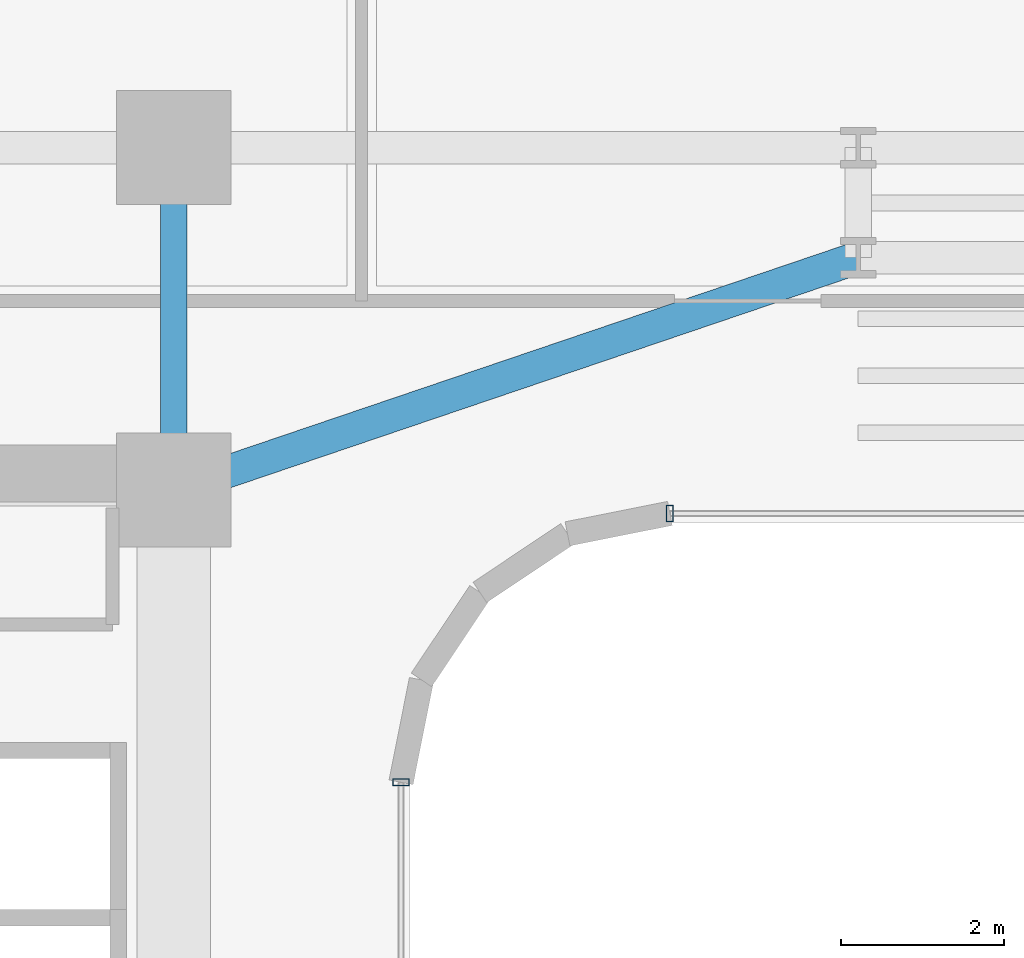
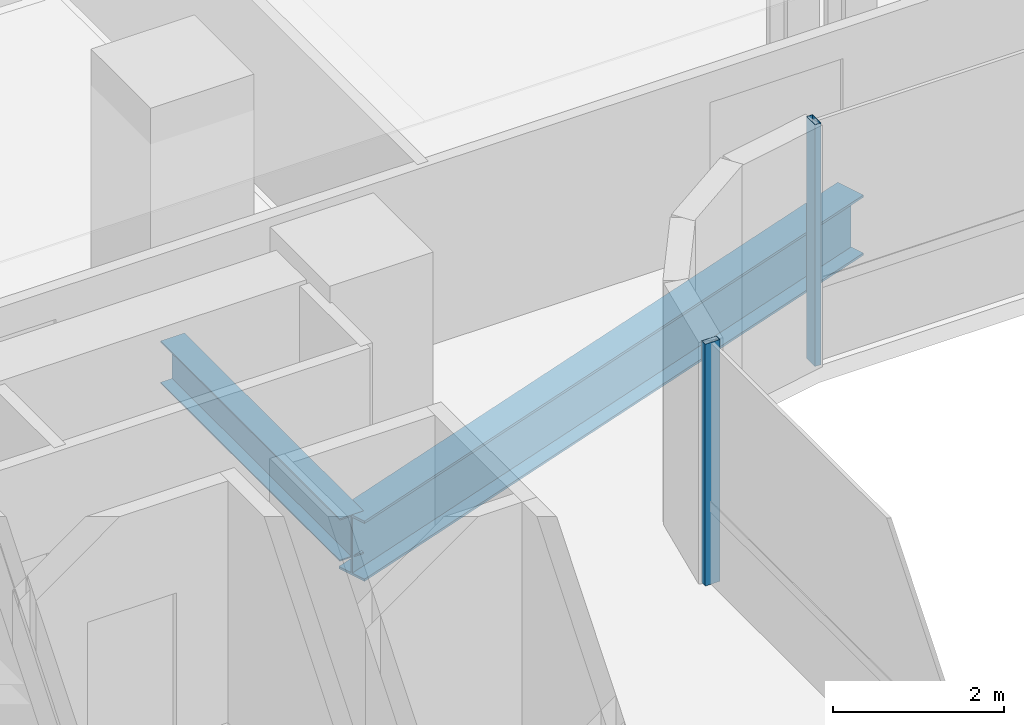
# One storey, part 13 of 40: 2 beams, 2 members, 2 elements without a shape of their own.
"""IFC4 building model written with IfcOpenShell, lengths in metres."""

from ifc_helpers import new_model, si_unit, direction, frame, origin, origin_2d, place, context, subcontext, project, spatial, hollow_rectangle, i_section, extrude, source, transform, mapped, material, material_profile, profile_set, type_object, element, aggregate, save


model = new_model("IFC4")

# Units and contexts
model_context = context("Model", 3, precision=1e-05, world=origin(), true_north=direction((0.0, 1.0)))
body_context = subcontext(model_context, "Body", "Model", "MODEL_VIEW")
ifc_project = project(units=[si_unit("LENGTHUNIT", "METRE"), si_unit("AREAUNIT", "SQUARE_METRE"), si_unit("VOLUMEUNIT", "CUBIC_METRE"), si_unit("PLANEANGLEUNIT", "RADIAN"), si_unit("MASSUNIT", "GRAM", prefix="KILO")], contexts=[model_context])

# Site, building, storey
site_placement = place(None, origin())
site = spatial("IfcSite", under=ifc_project, at=site_placement, CompositionType="ELEMENT")
building_placement = place(site_placement, origin())
building = spatial("IfcBuilding", under=site, at=building_placement, Name="Valdorenza Pilgrim Sanctuary Tower", CompositionType="ELEMENT")
storey_placement = place(building_placement, frame((0.0, 0.0, 51.89990234375)))
storey = spatial("IfcBuildingStorey", under=building, at=storey_placement, Name="L12", CompositionType="ELEMENT", Elevation=51.89990234375)

# Beams
ifc_material_1 = material(Name="Steel ASTM A992 Grade 50", Category="steel")
ifc_material_profile_1 = material_profile(ifc_material_1, i_section(OverallWidth=0.323974609375, OverallDepth=0.611083984375, WebThickness=0.0126953125, FlangeThickness=0.01904296875, at=origin_2d()), Name="W24X104")
ifc_profile_set_1 = profile_set([ifc_material_profile_1], Name="Steel ASTM A992 Grade 50")
beam_type_1 = type_object("IfcBeamType", Name="STR-BM-GRD-W24B", PredefinedType="BEAM", material=ifc_profile_set_1)
shared_shape_1 = source(origin(), body_context, "Body", "SweptSolid", [
    extrude(i_section(OverallWidth=0.323974609375, OverallDepth=0.611083984375, WebThickness=0.0126953125, FlangeThickness=0.01904296875, at=origin_2d()), origin(), (0.0, 0.0, 1.0), 4.199951171875),
])
beam_1_placement = place(storey_placement, frame((-12.39990234375, 10.60009765625, -0.54541015625), z_axis=(0.0, 1.0, 0.0), x_axis=(-1.0, 0.0, 0.0)))
element("IfcBeam", 1, at=beam_1_placement, inside=storey, type_object=beam_type_1, Name="L12 Core Tie Girder CA-E-N1N2", PredefinedType="BEAM", context=body_context, shape_type="MappedRepresentation", body=[
    mapped(shared_shape_1, transform((0.0, 0.0, 0.0), x_axis=(1.0, 0.0, 0.0), y_axis=(0.0, 1.0, 0.0), z_axis=(0.0, 0.0, 1.0), scale=1.0)),
])
ifc_material_profile_2 = material_profile(ifc_material_1, i_section(OverallWidth=0.39990234375, OverallDepth=0.862060546875, WebThickness=0.019775390625, FlangeThickness=0.032470703125, at=origin_2d()), Name="W33X221")
ifc_profile_set_2 = profile_set([ifc_material_profile_2], Name="Steel ASTM A992 Grade 50")
beam_type_2 = type_object("IfcBeamType", Name="STR-BM-GRD-W33", PredefinedType="BEAM", material=ifc_profile_set_2)
shared_shape_2 = source(origin(), body_context, "Body", "SweptSolid", [
    extrude(i_section(OverallWidth=0.39990234375, OverallDepth=0.862060546875, WebThickness=0.019775390625, FlangeThickness=0.032470703125, at=origin_2d()), origin(), (0.0, 0.0, 1.0), 8.8701171875),
])
beam_2_placement = place(storey_placement, frame((-12.39990234375, 10.60009765625, -0.6708984375), z_axis=(0.946982588361, 0.321284885018, 0.0), x_axis=(-0.321284885018, 0.946982588361, 0.0)))
element("IfcBeam", 2, at=beam_2_placement, inside=storey, type_object=beam_type_2, Name="L12 Floor Girder KNK-G1", PredefinedType="BEAM", context=body_context, shape_type="MappedRepresentation", body=[
    mapped(shared_shape_2, transform((0.0, 0.0, 0.0), x_axis=(1.0, 0.0, 0.0), y_axis=(0.0, 1.0, 0.0), z_axis=(0.0, 0.0, 1.0), scale=1.0)),
])

# Curtain wall, member
ifc_material_2 = material(Name="Curtain-wall IGU glazing", Category="glass")
curtain_wall_type = type_object("IfcCurtainWallType", Name="CW-SYS-02", PredefinedType="NOTDEFINED", material=ifc_material_2)
curtain_wall_1_placement = place(storey_placement, origin())
curtain_wall_1 = element("IfcCurtainWall", 3, at=curtain_wall_1_placement, inside=storey, type_object=curtain_wall_type, Name="L12 Curtain Wall CW-L12-1-36", PredefinedType="NOTDEFINED")
ifc_material_3 = material(Name="Anodised aluminium AW-6060", Category="aluminium")
ifc_material_profile_3 = material_profile(ifc_material_3, hollow_rectangle(XDim=0.0849609375, YDim=0.199951171875, WallThickness=0.0048828125, at=origin_2d()), Name="ALU-M 200x85x5")
ifc_profile_set_3 = profile_set([ifc_material_profile_3], Name="Anodised aluminium AW-6060")
member_type = type_object("IfcMemberType", Name="CW-MUL-02", PredefinedType="MULLION", material=ifc_profile_set_3)
shared_shape_3 = source(origin(), body_context, "Body", "SweptSolid", [
    extrude(hollow_rectangle(XDim=0.0849609375, YDim=0.199951171875, WallThickness=0.0048828125, at=origin_2d()), origin(), (0.0, 0.0, 1.0), 3.460205078125),
])
member_1_placement = place(storey_placement, frame((-6.310791015625, 10.31005859375, 0.0), z_axis=(0.0, 0.0, 1.0), x_axis=(-1.0, 0.0, 0.0)))
member_1 = element("IfcMember", 4, at=member_1_placement, type_object=member_type, Name="CW-L12-1-36 Mullion 4", PredefinedType="MULLION", context=body_context, shape_type="MappedRepresentation", body=[
    mapped(shared_shape_3, transform((0.0, 0.0, 0.0), x_axis=(1.0, 0.0, 0.0), y_axis=(0.0, 1.0, 0.0), z_axis=(0.0, 0.0, 1.0), scale=1.0)),
])
aggregate(curtain_wall_1, [member_1])

curtain_wall_2_placement = place(storey_placement, origin())
curtain_wall_2 = element("IfcCurtainWall", 5, at=curtain_wall_2_placement, inside=storey, type_object=curtain_wall_type, Name="L12 Curtain Wall CW-L12-1-41", PredefinedType="NOTDEFINED")
member_2_placement = place(storey_placement, frame((-9.610107421875, 7.0107421875, 0.0), z_axis=(0.0, 0.0, 1.0), x_axis=(0.0, -1.0, 0.0)))
member_2 = element("IfcMember", 6, at=member_2_placement, type_object=member_type, Name="CW-L12-1-41 Mullion 1", PredefinedType="MULLION", context=body_context, shape_type="MappedRepresentation", body=[
    mapped(shared_shape_3, transform((0.0, 0.0, 0.0), x_axis=(1.0, 0.0, 0.0), y_axis=(0.0, 1.0, 0.0), z_axis=(0.0, 0.0, 1.0), scale=1.0)),
])
aggregate(curtain_wall_2, [member_2])

save(model, "model.ifc")
